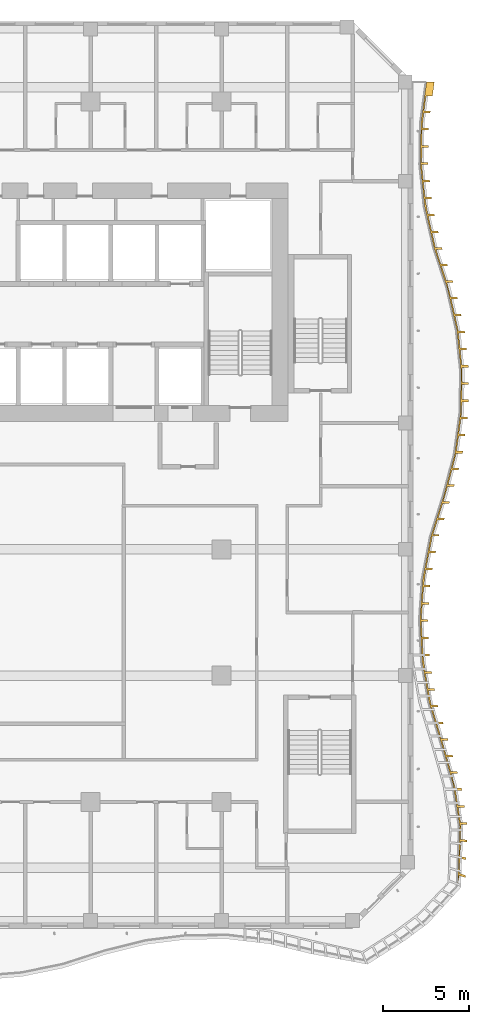
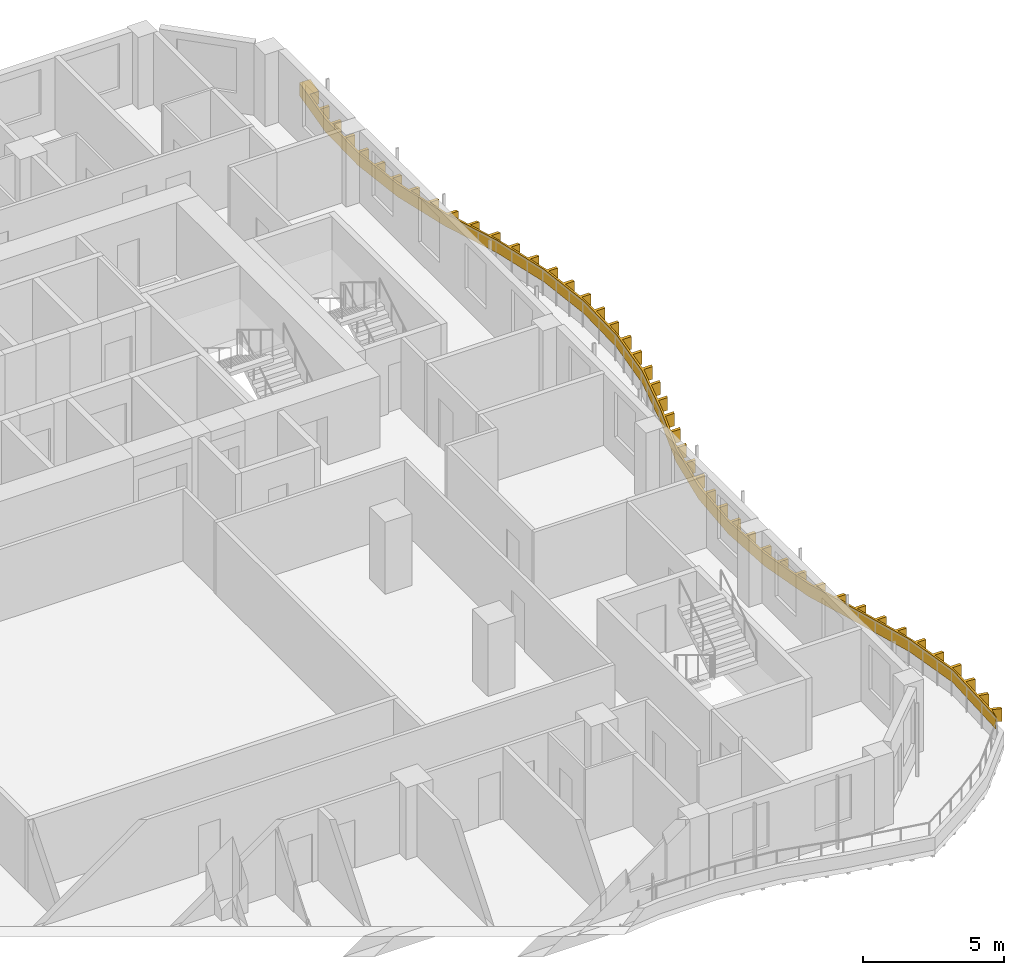
# One storey, part 20 of 23: 1 shading device.
"""IFC4 building model written with IfcOpenShell, lengths in metres."""

import ifcopenshell
import ifcopenshell.guid

model = None  # the IFC model being written
_history = None  # IfcOwnerHistory: only IFC2X3 demands one
_inside = {}  # id of a spatial element -> (the spatial element, [elements in it])
_under = {}  # id of a project, library or spatial element -> (it, [spatial elements below it])
_declared = {}  # id of a project -> (the project, [libraries it declares])
_typed = {}  # id of a type object -> (the type object, [elements of that type])
_made_of = {}  # id of a material, layer set ... -> (it, [elements and type objects made of it])


def new_model(schema):
    """Start an empty IFC model of exactly this schema.

    Asked for "IFC4X3", IfcOpenShell would pick the latest addendum, in which some entities
    have other attributes; the version numbers below select the first issue.
    IFC2X3 requires an IfcOwnerHistory on every rooted entity: one is made here for all.
    """
    global model, _history
    if schema == "IFC4X3":
        model = ifcopenshell.file(schema_version=(4, 3, 0, 0))
    else:
        model = ifcopenshell.file(schema=schema)
    _inside.clear()
    _under.clear()
    _declared.clear()
    _typed.clear()
    _made_of.clear()
    _history = None
    if model.schema == "IFC2X3":
        org = make("IfcOrganization", Name="unknown")
        user = make(
            "IfcPersonAndOrganization",
            ThePerson=make("IfcPerson", FamilyName="unknown"),
            TheOrganization=org,
        )
        app = make(
            "IfcApplication",
            ApplicationDeveloper=org,
            Version="unknown",
            ApplicationFullName="unknown",
            ApplicationIdentifier="unknown",
        )
        _history = make(
            "IfcOwnerHistory",
            OwningUser=user,
            OwningApplication=app,
            ChangeAction="ADDED",
            CreationDate=0,
        )
    return model


def make(cls, **values):
    """One entity of the class cls with the attributes given. An attribute that is None is left unset."""
    return model.create_entity(
        cls, **{name: value for name, value in values.items() if value is not None}
    )


def rooted(cls, **values):
    """An entity with a GlobalId (a new one), such as an element, a storey or a relation."""
    return make(cls, GlobalId=ifcopenshell.guid.new(), OwnerHistory=_history, **values)


def si_unit(unit_type, name, prefix=None):
    """IfcSIUnit, for example si_unit("LENGTHUNIT", "METRE", prefix="MILLI")."""
    return make("IfcSIUnit", UnitType=unit_type, Prefix=prefix, Name=name)


def assignment(units):
    """IfcUnitAssignment: the units of a project."""
    return None if units is None else make("IfcUnitAssignment", Units=units)


def point(xyz):
    """IfcCartesianPoint."""
    return None if xyz is None else make("IfcCartesianPoint", Coordinates=xyz)


def direction(xyz):
    """IfcDirection."""
    return None if xyz is None else make("IfcDirection", DirectionRatios=xyz)


def frame(location, z_axis=None, x_axis=None):
    """IfcAxis2Placement3D, a coordinate frame: its origin and axes. An axis left out is left unset."""
    return make(
        "IfcAxis2Placement3D",
        Location=point(location),
        Axis=direction(z_axis),
        RefDirection=direction(x_axis),
    )


def origin():
    """The frame at (0, 0, 0) with its axes left unset."""
    return frame((0.0, 0.0, 0.0))


def place(relative_to, where):
    """IfcLocalPlacement: puts the frame where relative to a parent placement (None: the world)."""
    return make(
        "IfcLocalPlacement", PlacementRelTo=relative_to, RelativePlacement=where
    )


def context(
    kind, dimensions, precision=None, world=None, true_north=None, identifier=None
):
    """IfcGeometricRepresentationContext, for example the 3D "Model" context."""
    return make(
        "IfcGeometricRepresentationContext",
        ContextIdentifier=identifier,
        ContextType=kind,
        CoordinateSpaceDimension=dimensions,
        Precision=precision,
        WorldCoordinateSystem=world,
        TrueNorth=true_north,
    )


def subcontext(parent, identifier, kind, view, scale=None):
    """IfcGeometricRepresentationSubContext, for example "Body" below "Model"."""
    return make(
        "IfcGeometricRepresentationSubContext",
        ContextIdentifier=identifier,
        ContextType=kind,
        ParentContext=parent,
        TargetScale=scale,
        TargetView=view,
    )


def project(units=None, contexts=None):
    """IfcProject with its units and contexts."""
    return rooted(
        "IfcProject",
        Name="project",
        RepresentationContexts=contexts,
        UnitsInContext=assignment(units),
    )


def spatial(cls, under=None, at=None, **own):
    """A site, building, storey or space (cls), placed at a placement, below another one or the project."""
    s = rooted(cls, ObjectPlacement=at, **own)
    if under is not None:
        _under.setdefault(under.id(), (under, []))[1].append(s)
    return s


def polyline(points):
    """IfcPolyline through the points."""
    return make("IfcPolyline", Points=[point(p) for p in points])


def outline(outer, holes=None, kind="AREA"):
    """IfcArbitraryClosedProfileDef: a profile drawn as a closed curve; with holes, ...WithVoids."""
    if holes is None:
        return make("IfcArbitraryClosedProfileDef", ProfileType=kind, OuterCurve=outer)
    return make(
        "IfcArbitraryProfileDefWithVoids",
        ProfileType=kind,
        OuterCurve=outer,
        InnerCurves=holes,
    )


def extrude(swept, where, along, depth):
    """IfcExtrudedAreaSolid: the profile swept, set in the frame where, extruded along a direction by depth."""
    return make(
        "IfcExtrudedAreaSolid",
        SweptArea=swept,
        Position=where,
        ExtrudedDirection=direction(along),
        Depth=depth,
    )


def shape(context_of_items, identifier, shape_type, items):
    """IfcShapeRepresentation: the items that make up one representation, for example the "Body"."""
    return make(
        "IfcShapeRepresentation",
        ContextOfItems=context_of_items,
        RepresentationIdentifier=identifier,
        RepresentationType=shape_type,
        Items=items,
    )


def source(mapping_origin, context_of_items, identifier, shape_type, items):
    """IfcRepresentationMap: a shape defined once, which mapped items show again and again."""
    return make(
        "IfcRepresentationMap",
        MappingOrigin=mapping_origin,
        MappedRepresentation=shape(context_of_items, identifier, shape_type, items),
    )


def transform(
    local_origin,
    x_axis=None,
    y_axis=None,
    z_axis=None,
    scale=None,
    scale2=None,
    scale3=None,
    uniform=True,
):
    """IfcCartesianTransformationOperator3D, or its non-uniform kind. x_axis, y_axis, z_axis: its Axis1, 2, 3."""
    if uniform:
        return make(
            "IfcCartesianTransformationOperator3D",
            Axis1=direction(x_axis),
            Axis2=direction(y_axis),
            LocalOrigin=point(local_origin),
            Scale=scale,
            Axis3=direction(z_axis),
        )
    return make(
        "IfcCartesianTransformationOperator3DnonUniform",
        Axis1=direction(x_axis),
        Axis2=direction(y_axis),
        LocalOrigin=point(local_origin),
        Scale=scale,
        Axis3=direction(z_axis),
        Scale2=scale2,
        Scale3=scale3,
    )


def mapped(mapping_source, mapping_target):
    """IfcMappedItem: shows the shape of a source again, moved by a transform."""
    return make(
        "IfcMappedItem", MappingSource=mapping_source, MappingTarget=mapping_target
    )


def material(Name=None, Category=None):
    """IfcMaterial."""
    return make("IfcMaterial", Name=Name, Category=Category)


def layer(
    of_material, thickness, ventilated=None, Name=None, Category=None, Priority=None
):
    """IfcMaterialLayer: one layer of a wall or slab, of a material (None: an air gap)."""
    return make(
        "IfcMaterialLayer",
        Material=of_material,
        LayerThickness=thickness,
        IsVentilated=ventilated,
        Name=Name,
        Category=Category,
        Priority=Priority,
    )


def layer_set(layers, Name=None):
    """IfcMaterialLayerSet."""
    return make("IfcMaterialLayerSet", MaterialLayers=layers, LayerSetName=Name)


def made_of(thing, what):
    """Note that an element or type object is made of a material, layer set ...; save() writes the relation."""
    if what is not None:
        _made_of.setdefault(what.id(), (what, []))[1].append(thing)
    return thing


def type_object(cls, material=None, **own):
    """A type object (cls), such as IfcWallType, which elements share."""
    return made_of(rooted(cls, **own), material)


def element(
    cls,
    number,
    at=None,
    inside=None,
    cuts=None,
    type_object=None,
    material=None,
    context=None,
    identifier="Body",
    shape_type=None,
    held_by="IfcProductDefinitionShape",
    body=None,
    shapes=None,
    **own,
):
    """One element of the class cls, such as IfcWall. Its Tag is "e" and its number.

    at: its placement. inside: the storey or other place that contains it. cuts: it is an
    opening in that element (IfcRelVoidsElement). A single representation is given by context,
    identifier, shape_type and body (its items); several are given by shapes. held_by: the class
    of the entity that holds the representations. save() writes the other relations.
    """
    e = rooted(cls, Tag="e%d" % number, ObjectPlacement=at, **own)
    if body is not None:
        shapes = [shape(context, identifier, shape_type, body)]
    if shapes is not None:
        e.Representation = make(held_by, Representations=shapes)
    if inside is not None:
        _inside.setdefault(inside.id(), (inside, []))[1].append(e)
    if cuts is not None:
        rooted(
            "IfcRelVoidsElement", RelatingBuildingElement=cuts, RelatedOpeningElement=e
        )
    if type_object is not None:
        _typed.setdefault(type_object.id(), (type_object, []))[1].append(e)
    return made_of(e, material)


def aggregate(whole, parts):
    """IfcRelAggregates: a whole, such as a stair, and the parts it consists of."""
    return rooted("IfcRelAggregates", RelatingObject=whole, RelatedObjects=parts)


def save(model, path):
    """Write the relations noted so far, then the file.

    IfcRelAggregates (storeys below a building ...), IfcRelContainedInSpatialStructure (elements
    in a storey), IfcRelDefinesByType, IfcRelAssociatesMaterial and IfcRelDeclares: one each for
    every whole, place, type object, material and project.
    """
    for whole, parts in _under.values():
        aggregate(whole, parts)
    for where, things in _inside.values():
        rooted(
            "IfcRelContainedInSpatialStructure",
            RelatedElements=things,
            RelatingStructure=where,
        )
    for kind, things in _typed.values():
        rooted("IfcRelDefinesByType", RelatedObjects=things, RelatingType=kind)
    for what, things in _made_of.values():
        rooted("IfcRelAssociatesMaterial", RelatedObjects=things, RelatingMaterial=what)
    for by, libraries in _declared.values():
        rooted("IfcRelDeclares", RelatingContext=by, RelatedDefinitions=libraries)
    model.write(path)


model = new_model("IFC4")

# Units and contexts
model_context = context("Model", 3, precision=1e-05, world=origin(), true_north=direction((0.0, 1.0)))
body_context = subcontext(model_context, "Body", "Model", "MODEL_VIEW")
ifc_project = project(units=[si_unit("LENGTHUNIT", "METRE"), si_unit("AREAUNIT", "SQUARE_METRE"), si_unit("VOLUMEUNIT", "CUBIC_METRE"), si_unit("PLANEANGLEUNIT", "RADIAN"), si_unit("MASSUNIT", "GRAM", prefix="KILO")], contexts=[model_context])

# Site, building, storey
site_placement = place(None, origin())
site = spatial("IfcSite", under=ifc_project, at=site_placement, CompositionType="ELEMENT")
building_placement = place(site_placement, origin())
building = spatial("IfcBuilding", under=site, at=building_placement, Name="Kilnfold Tower and Market Hall", CompositionType="ELEMENT")
storey_placement = place(building_placement, frame((0.0, 0.0, 150.699951171875)))
storey = spatial("IfcBuildingStorey", under=building, at=storey_placement, Name="L34", CompositionType="ELEMENT", Elevation=150.699951171875)

# Shading device
ifc_material = material(Name="Bronze anodised aluminium", Category="aluminium")
ifc_layer = layer(ifc_material, 0.550048828125)
ifc_layer_set = layer_set([ifc_layer], Name="Bronze anodised aluminium")
shading_device_type = type_object("IfcShadingDeviceType", Name="BRONZE SLAT FASCIA 550", PredefinedType="USERDEFINED", material=ifc_layer_set)
shared_shape = source(origin(), body_context, "Body", "SweptSolid", [
    extrude(outline(polyline([(28.277587890625, -18.31005859375), (27.92919921875, -18.194580078125), (27.838623046875, -18.63232421875), (27.957275390625, -15.355224609375), (27.580322265625, -12.96044921875), (26.897216796875, -10.56591796875), (26.17919921875, -8.171142578125), (25.77001953125, -5.7763671875), (25.65087890625, -3.381591796875), (25.8173828125, -0.98681640625), (26.276611328125, 1.407958984375), (27.032958984375, 3.802490234375), (27.66357421875, 6.197509765625), (27.99169921875, 8.592041015625), (28.031494140625, 10.98681640625), (27.78564453125, 13.381591796875), (27.24267578125, 15.7763671875), (26.461181640625, 18.171142578125), (25.91650390625, 20.56591796875), (25.6689453125, 22.96044921875), (25.70751953125, 25.355224609375), (26.03369140625, 27.75), (26.48388671875, 27.75), (26.37353515625, 26.940673828125), (26.00341796875, 26.940673828125), (25.884765625, 26.068603515625), (26.254638671875, 26.068603515625), (26.238525390625, 25.94970703125), (25.868408203125, 25.94970703125), (25.782958984375, 25.0751953125), (26.153076171875, 25.0751953125), (26.151123046875, 24.955322265625), (25.781005859375, 24.955322265625), (25.766845703125, 24.075439453125), (26.136962890625, 24.075439453125), (26.135009765625, 23.955322265625), (25.764892578125, 23.955322265625), (25.750732421875, 23.075439453125), (26.120849609375, 23.075439453125), (26.119384765625, 22.95556640625), (25.74951171875, 22.95556640625), (25.83984375, 22.080078125), (26.2099609375, 22.080078125), (26.222412109375, 21.9609375), (25.852294921875, 21.9609375), (25.94287109375, 21.08544921875), (26.312744140625, 21.08544921875), (26.3251953125, 20.96630859375), (25.955078125, 20.96630859375), (26.102294921875, 20.10009765625), (26.472412109375, 20.10009765625), (26.4990234375, 19.983154296875), (26.12890625, 19.983154296875), (26.32421875, 19.125), (26.694091796875, 19.125), (26.720703125, 19.008056640625), (26.350830078125, 19.008056640625), (26.5478515625, 18.150390625), (26.917724609375, 18.150390625), (26.955078125, 18.036376953125), (26.5849609375, 18.036376953125), (26.858154296875, 17.19970703125), (27.22802734375, 17.19970703125), (27.265380859375, 17.085693359375), (26.895263671875, 17.085693359375), (27.168212890625, 16.249267578125), (27.538330078125, 16.249267578125), (27.575439453125, 16.135009765625), (27.20556640625, 16.135009765625), (27.43359375, 15.2861328125), (27.8037109375, 15.2861328125), (27.830322265625, 15.169189453125), (27.460205078125, 15.169189453125), (27.65478515625, 14.310791015625), (28.02490234375, 14.310791015625), (28.051513671875, 14.19384765625), (27.681396484375, 14.19384765625), (27.870361328125, 13.334716796875), (28.240478515625, 13.334716796875), (28.252685546875, 13.21533203125), (27.8828125, 13.21533203125), (27.97265625, 12.340087890625), (28.342529296875, 12.340087890625), (28.35498046875, 12.220703125), (27.98486328125, 12.220703125), (28.07470703125, 11.34521484375), (28.44482421875, 11.34521484375), (28.45703125, 11.225830078125), (28.0869140625, 11.225830078125), (28.100830078125, 10.34716796875), (28.470947265625, 10.34716796875), (28.468994140625, 10.227294921875), (28.098876953125, 10.227294921875), (28.084228515625, 9.347412109375), (28.4541015625, 9.347412109375), (28.4521484375, 9.227294921875), (28.082275390625, 9.227294921875), (28.038330078125, 8.349609375), (28.408447265625, 8.349609375), (28.39208984375, 8.230712890625), (28.022216796875, 8.230712890625), (27.902587890625, 7.35888671875), (28.272705078125, 7.35888671875), (28.25634765625, 7.239990234375), (27.886474609375, 7.239990234375), (27.76708984375, 6.3681640625), (28.136962890625, 6.3681640625), (28.12060546875, 6.249267578125), (27.750732421875, 6.249267578125), (27.532958984375, 5.397216796875), (27.90283203125, 5.397216796875), (27.872314453125, 5.281005859375), (27.502197265625, 5.281005859375), (27.2783203125, 4.43017578125), (27.648193359375, 4.43017578125), (27.61767578125, 4.31396484375), (27.247802734375, 4.31396484375), (27.007080078125, 3.4677734375), (27.377197265625, 3.4677734375), (27.341064453125, 3.353271484375), (26.97119140625, 3.353271484375), (26.7060546875, 2.51416015625), (27.075927734375, 2.51416015625), (27.039794921875, 2.39990234375), (26.669921875, 2.39990234375), (26.40478515625, 1.560546875), (26.77490234375, 1.560546875), (26.73876953125, 1.4462890625), (26.36865234375, 1.4462890625), (26.198486328125, 0.5830078125), (26.568359375, 0.5830078125), (26.5458984375, 0.465087890625), (26.17578125, 0.465087890625), (26.010009765625, -0.39892578125), (26.380126953125, -0.39892578125), (26.357421875, -0.516845703125), (25.987548828125, -0.516845703125), (25.86962890625, -1.38720703125), (26.239501953125, -1.38720703125), (26.231201171875, -1.507080078125), (25.861328125, -1.507080078125), (25.80029296875, -2.385009765625), (26.17041015625, -2.385009765625), (26.161865234375, -2.504638671875), (25.7919921875, -2.504638671875), (25.73095703125, -3.382568359375), (26.10107421875, -3.382568359375), (26.10693359375, -3.50244140625), (25.737060546875, -3.50244140625), (25.780517578125, -4.38134765625), (26.150634765625, -4.38134765625), (26.156494140625, -4.501220703125), (25.78662109375, -4.501220703125), (25.830078125, -5.380126953125), (26.2001953125, -5.380126953125), (26.206298828125, -5.5), (25.836181640625, -5.5), (25.95166015625, -6.37109375), (26.321533203125, -6.37109375), (26.341796875, -6.4892578125), (25.9716796875, -6.4892578125), (26.1201171875, -7.356689453125), (26.489990234375, -7.356689453125), (26.51025390625, -7.474853515625), (26.140380859375, -7.474853515625), (26.30908203125, -8.33740234375), (26.67919921875, -8.33740234375), (26.713623046875, -8.452392578125), (26.343505859375, -8.452392578125), (26.59619140625, -9.29541015625), (26.96630859375, -9.29541015625), (27.000732421875, -9.410400390625), (26.630859375, -9.410400390625), (26.88330078125, -10.25341796875), (27.25341796875, -10.25341796875), (27.287841796875, -10.368408203125), (26.91796875, -10.368408203125), (27.162109375, -11.213623046875), (27.531982421875, -11.213623046875), (27.56494140625, -11.3291015625), (27.19482421875, -11.3291015625), (27.436279296875, -12.17529296875), (27.806396484375, -12.17529296875), (27.83935546875, -12.290771484375), (27.46923828125, -12.290771484375), (27.68896484375, -13.141845703125), (28.058837890625, -13.141845703125), (28.07763671875, -13.26025390625), (27.70751953125, -13.26025390625), (27.84423828125, -14.129638671875), (28.21435546875, -14.129638671875), (28.23291015625, -14.248291015625), (27.863037109375, -14.248291015625), (27.999755859375, -15.117431640625), (28.369873046875, -15.117431640625), (28.388427734375, -15.236083984375), (28.018310546875, -15.236083984375), (28.007568359375, -16.10400390625), (28.373046875, -16.134521484375), (28.36767578125, -16.257568359375), (28.0029296875, -16.222412109375), (27.9697265625, -17.08984375), (28.327880859375, -17.16064453125), (28.322509765625, -17.28369140625), (27.96533203125, -17.208251953125), (27.933349609375, -18.076171875), (28.282958984375, -18.18701171875), (28.277587890625, -18.31005859375)])), origin(), (0.0, 0.0, 1.0), 0.550048828125),
])
shading_device_placement = place(storey_placement, frame((0.0, 0.0, 0.550048828125)))
element("IfcShadingDevice", 1, at=shading_device_placement, inside=storey, type_object=shading_device_type, Name="Balcony slat fascia L34", ObjectType="SLAT", PredefinedType="USERDEFINED", context=body_context, shape_type="MappedRepresentation", body=[
    mapped(shared_shape, transform((0.0, 0.0, 0.0))),
])

save(model, "model.ifc")
